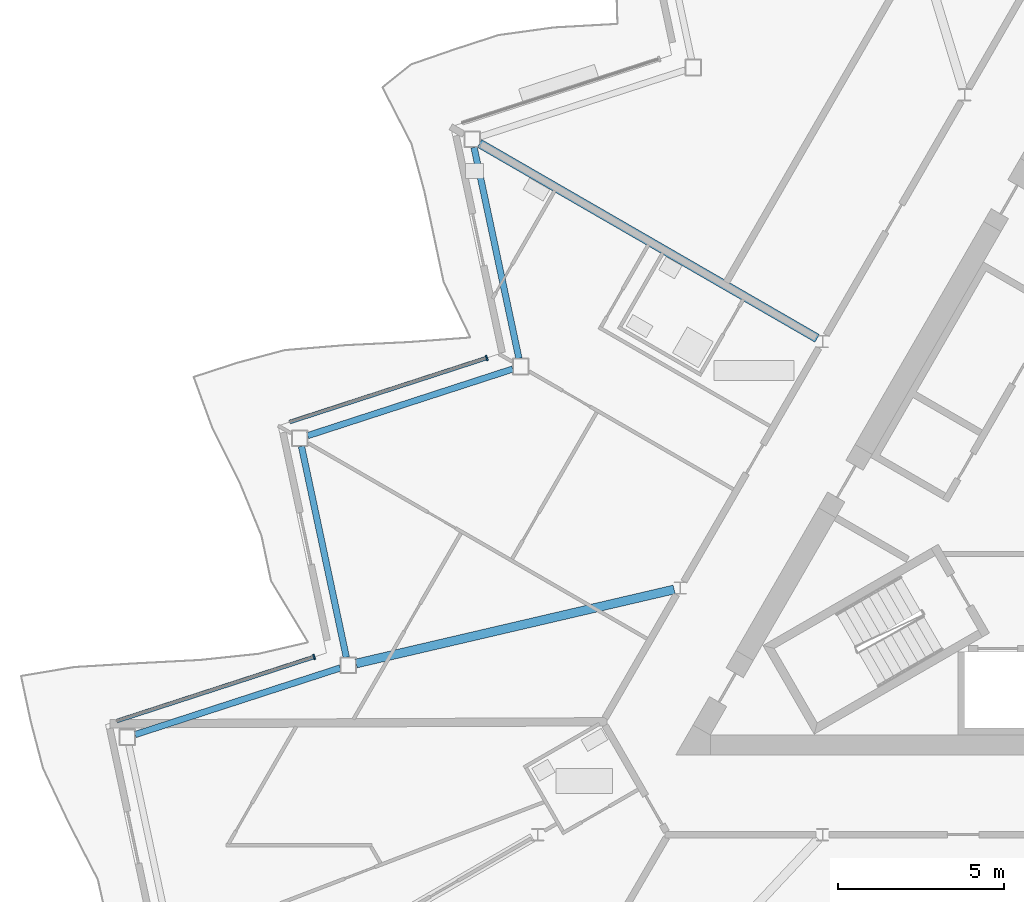
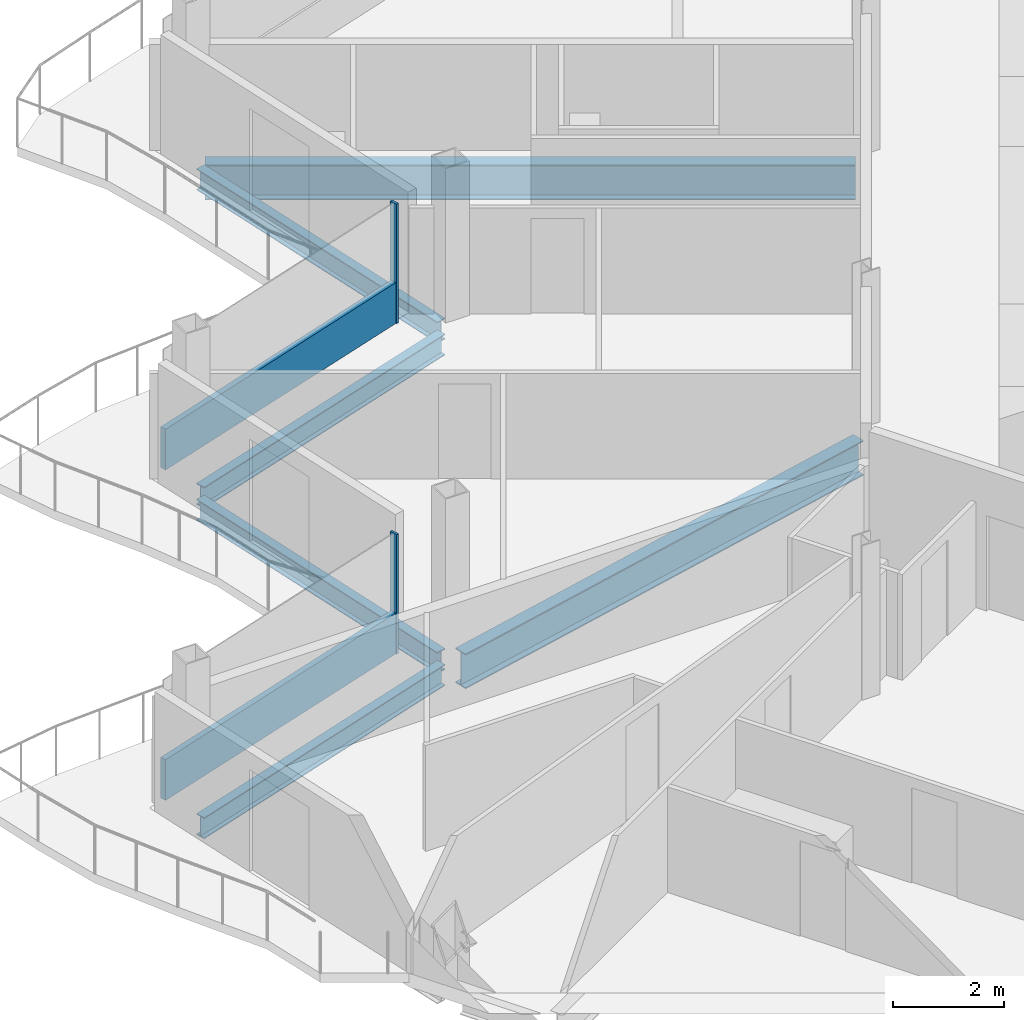
# One storey, part 6 of 26: 6 beams, 4 members, 2 elements without a shape of their own.
"""IFC4 building model written with IfcOpenShell, lengths in metres."""

from ifc_helpers import new_model, si_unit, direction, frame, origin, origin_2d, place, context, subcontext, project, spatial, rectangle, i_section, extrude, material, layer, layer_set, material_profile, profile_set, type_object, element, aggregate, save


model = new_model("IFC4")

# Units and contexts
model_context = context("Model", 3, precision=1e-05, world=origin(), true_north=direction((0.0, 1.0)))
body_context = subcontext(model_context, "Body", "Model", "MODEL_VIEW")
ifc_project = project(units=[si_unit("LENGTHUNIT", "METRE"), si_unit("AREAUNIT", "SQUARE_METRE"), si_unit("VOLUMEUNIT", "CUBIC_METRE"), si_unit("PLANEANGLEUNIT", "RADIAN"), si_unit("MASSUNIT", "GRAM", prefix="KILO")], contexts=[model_context])

# Site, building, storey
site_placement = place(None, origin())
site = spatial("IfcSite", under=ifc_project, at=site_placement, CompositionType="ELEMENT")
building_placement = place(site_placement, origin())
building = spatial("IfcBuilding", under=site, at=building_placement, Name="Cormorant Prow Tower", CompositionType="ELEMENT")
storey_placement = place(building_placement, frame((0.0, 0.0, 367.800048828125)))
storey = spatial("IfcBuildingStorey", under=building, at=storey_placement, Name="L82", CompositionType="ELEMENT", Elevation=367.800048828125)

# Beams
ifc_material_1 = material(Name="Structural steel ASTM A992 Gr 50", Category="steel")
ifc_material_profile_1 = material_profile(ifc_material_1, i_section(OverallWidth=0.267822265625, OverallDepth=0.77001953125, WebThickness=0.015625, FlangeThickness=0.025390625, at=origin_2d()), Name="W30x132")
ifc_profile_set_1 = profile_set([ifc_material_profile_1], Name="Structural steel ASTM A992 Gr 50")
beam_type_1 = type_object("IfcBeamType", Name="Radial floor beam W30x132", PredefinedType="BEAM", material=ifc_profile_set_1)
beam_1_placement = place(storey_placement, frame((-8.740478515625, 5.04638671875, -0.68505859375), z_axis=(-0.866026702285, 0.499997750924, 0.0), x_axis=(-0.499997750924, -0.866026702285, 0.0)))
element("IfcBeam", 1, at=beam_1_placement, inside=storey, type_object=beam_type_1, Name="Radial floor beam FB3 3 L82", PredefinedType="BEAM", context=body_context, shape_type="SweptSolid", body=[
    extrude(i_section(OverallWidth=0.267822265625, OverallDepth=0.77001953125, WebThickness=0.015625, FlangeThickness=0.025390625, at=origin_2d()), origin(), (0.0, 0.0, 1.0), 11.7451171875),
])
beam_2_placement = place(storey_placement, frame((-13.0498046875, -2.518798828125, -0.68505859375), z_axis=(-0.973926084128, -0.226865560752, 0.0), x_axis=(0.226865560752, -0.973926084128, 0.0)))
element("IfcBeam", 2, at=beam_2_placement, inside=storey, type_object=beam_type_1, Name="Radial floor beam FB3 4 L82", PredefinedType="BEAM", context=body_context, shape_type="SweptSolid", body=[
    extrude(i_section(OverallWidth=0.267822265625, OverallDepth=0.77001953125, WebThickness=0.015625, FlangeThickness=0.025390625, at=origin_2d()), origin(), (0.0, 0.0, 1.0), 9.837158203125),
])

# Curtain wall, member
ifc_material_2 = material(Name="Aluminium 6063-T6", Category="aluminium")
ifc_layer = layer(ifc_material_2, 0.159912109375)
ifc_layer_set = layer_set([ifc_layer], Name="Aluminium 6063-T6")
curtain_wall_type = type_object("IfcCurtainWallType", Name="Residential unitised curtain wall 160", PredefinedType="NOTDEFINED", material=ifc_layer_set)
curtain_wall_1_placement = place(storey_placement, origin())
curtain_wall_1 = element("IfcCurtainWall", 3, at=curtain_wall_1_placement, inside=storey, type_object=curtain_wall_type, Name="Residential curtain wall WNW06", PredefinedType="NOTDEFINED")
ifc_material_3 = material(Name="Aluminium 6063-T6", Category="aluminium")
ifc_material_profile_2 = material_profile(ifc_material_3, rectangle(XDim=0.159912109375, YDim=0.050048828125, at=origin_2d()), Name="Residential mullion 50x160")
ifc_profile_set_2 = profile_set([ifc_material_profile_2], Name="Aluminium 6063-T6")
member_type_1 = type_object("IfcMemberType", Name="Residential mullion 50x160", PredefinedType="MULLION", material=ifc_profile_set_2)
member_1_placement = place(storey_placement, frame((-18.696533203125, 4.45458984375, 0.0), z_axis=(0.0, 0.0, 1.0), x_axis=(0.309017024369, -0.951056506549, 0.0)))
member_1 = element("IfcMember", 4, at=member_1_placement, type_object=member_type_1, Name="Residential mullion WNW06", PredefinedType="MULLION", context=body_context, shape_type="SweptSolid", body=[
    extrude(rectangle(XDim=0.159912109375, YDim=0.050048828125, at=origin_2d()), origin(), (0.0, 0.0, 1.0), 2.6337890625),
])

curtain_wall_2_placement = place(storey_placement, origin())
curtain_wall_2 = element("IfcCurtainWall", 5, at=curtain_wall_2_placement, inside=storey, type_object=curtain_wall_type, Name="Residential curtain wall WNW08", PredefinedType="NOTDEFINED")
member_2_placement = place(storey_placement, frame((-23.896484375, -4.55224609375, 0.0), z_axis=(0.0, 0.0, 1.0), x_axis=(0.309017024369, -0.951056506549, 0.0)))
member_2 = element("IfcMember", 6, at=member_2_placement, type_object=member_type_1, Name="Residential mullion WNW08", PredefinedType="MULLION", context=body_context, shape_type="SweptSolid", body=[
    extrude(rectangle(XDim=0.159912109375, YDim=0.050048828125, at=origin_2d()), origin(), (0.0, 0.0, 1.0), 2.6337890625),
])

# Member
ifc_material_4 = material(Name="Terracotta", Category="masonry")
ifc_material_profile_3 = material_profile(ifc_material_4, rectangle(XDim=0.1201171875, YDim=0.89990234375, at=origin_2d()), Name="Residential terracotta spandrel rail 120x900")
ifc_profile_set_3 = profile_set([ifc_material_profile_3], Name="Terracotta")
member_type_2 = type_object("IfcMemberType", Name="Residential terracotta spandrel rail 120x900", PredefinedType="USERDEFINED", material=ifc_profile_set_3)
member_3_placement = place(storey_placement, frame((-18.720458984375, 4.44677734375, 0.449951171875), z_axis=(-0.951052253526, -0.309030113522, 0.0), x_axis=(0.309030113522, -0.951052253526, 0.0)))
member_3 = element("IfcMember", 7, at=member_3_placement, type_object=member_type_2, Name="Residential spandrel rail WNW06", ObjectType="TRANSOM", PredefinedType="USERDEFINED", context=body_context, shape_type="SweptSolid", body=[
    extrude(rectangle(XDim=0.1201171875, YDim=0.89990234375, at=origin_2d()), origin(), (0.0, 0.0, 1.0), 6.215087890625),
])

aggregate(curtain_wall_1, [member_1, member_3])

member_4_placement = place(storey_placement, frame((-23.92041015625, -4.559814453125, 0.449951171875), z_axis=(-0.951056004715, -0.309018568854, 0.0), x_axis=(0.309018568854, -0.951056004715, 0.0)))
member_4 = element("IfcMember", 8, at=member_4_placement, type_object=member_type_2, Name="Residential spandrel rail WNW08", ObjectType="TRANSOM", PredefinedType="USERDEFINED", context=body_context, shape_type="SweptSolid", body=[
    extrude(rectangle(XDim=0.1201171875, YDim=0.89990234375, at=origin_2d()), origin(), (0.0, 0.0, 1.0), 6.21533203125),
])

aggregate(curtain_wall_2, [member_2, member_4])

# Beams
ifc_material_5 = material(Name="Structural steel ASTM A992 Gr 50", Category="steel")
ifc_material_profile_4 = material_profile(ifc_material_5, i_section(OverallWidth=0.19287109375, OverallDepth=0.466064453125, WebThickness=0.011474609375, FlangeThickness=0.01904296875, at=origin_2d()), Name="W18x65")
ifc_profile_set_4 = profile_set([ifc_material_profile_4], Name="Structural steel ASTM A992 Gr 50")
beam_type_2 = type_object("IfcBeamType", Name="Spandrel beam W18x65", PredefinedType="SPANDREL", material=ifc_profile_set_4)
for number, where, z_axis, x_axis, name in (
    (9, (-19.07666015625, 10.79931640625, -0.533203125), (0.207909538847, -0.978148058147, 0.0), (0.978148058147, 0.207909538847, 0.0), "Spandrel beam SB4 WNW05-WNW06 L82"),
    (10, (-17.91162109375, 4.122314453125, -0.533203125), (-0.951053396625, -0.309026595569, 0.0), (0.309026595569, -0.951053396625, 0.0), "Spandrel beam SB4 WNW06-WNW07 L82"),
    (11, (-24.276611328125, 1.792724609375, -0.533203125), (0.207909538847, -0.978148058147, 0.0), (0.978148058147, 0.207909538847, 0.0), "Spandrel beam SB4 WNW07-WNW08 L82"),
    (12, (-23.111572265625, -4.88427734375, -0.533203125), (-0.951053396625, -0.309026595569, 0.0), (0.309026595569, -0.951053396625, 0.0), "Spandrel beam SB4 WNW08-WNW09 L82"),
):
    element("IfcBeam", number, at=place(storey_placement, frame(where, z_axis=z_axis, x_axis=x_axis)), inside=storey, type_object=beam_type_2, Name=name, PredefinedType="SPANDREL", context=body_context, shape_type="SweptSolid", body=[
        extrude(i_section(OverallWidth=0.19287109375, OverallDepth=0.466064453125, WebThickness=0.011474609375, FlangeThickness=0.01904296875, at=origin_2d()), origin(), (0.0, 0.0, 1.0), 6.497314453125),
    ])

save(model, "model.ifc")
